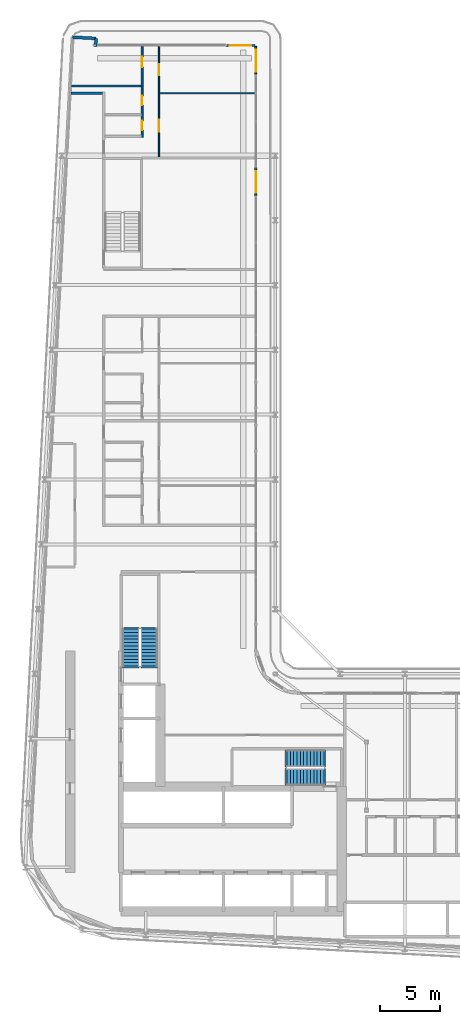
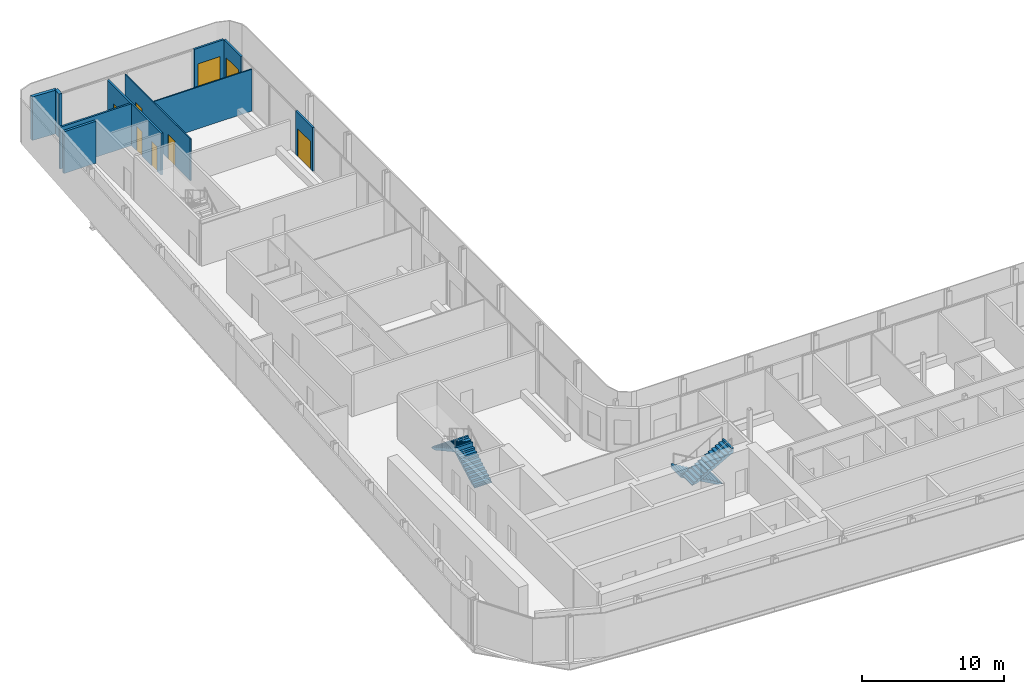
# One storey, part 18 of 27: 10 walls, 8 doors, 4 stair flights, 8 openings, 2 elements without a shape of their own.
"""IFC4 building model written with IfcOpenShell, lengths in metres."""

from ifc_helpers import new_model, si_unit, direction, frame, frame_2d, origin, place, context, subcontext, project, spatial, polyline, rectangle, outline, extrude, source, transform, mapped, material, layer, layer_set, type_object, element, fill, aggregate, save


model = new_model("IFC4")

# Units and contexts
model_context = context("Model", 3, precision=1e-05, world=origin(), true_north=direction((0.0, 1.0)))
body_context = subcontext(model_context, "Body", "Model", "MODEL_VIEW")
ifc_project = project(units=[si_unit("LENGTHUNIT", "METRE"), si_unit("AREAUNIT", "SQUARE_METRE"), si_unit("VOLUMEUNIT", "CUBIC_METRE"), si_unit("PLANEANGLEUNIT", "RADIAN"), si_unit("MASSUNIT", "GRAM", prefix="KILO")], contexts=[model_context])

# Site, building, storey
site_placement = place(None, origin())
site = spatial("IfcSite", under=ifc_project, at=site_placement, CompositionType="ELEMENT")
building_placement = place(site_placement, origin())
building = spatial("IfcBuilding", under=site, at=building_placement, Name="Kheshtan School and Residences Tower", CompositionType="ELEMENT")
storey_placement = place(building_placement, frame((0.0, 0.0, 152.60009765625)))
storey = spatial("IfcBuildingStorey", under=building, at=storey_placement, Name="L35", CompositionType="ELEMENT", Elevation=152.60009765625)

# Walls
ifc_material_1 = material(Name="Gypsum board on steel studs with fire boards", Category="steel")
ifc_layer_1 = layer(ifc_material_1, 0.199951171875)
ifc_layer_set_1 = layer_set([ifc_layer_1], Name="Corridor wall 200")
wall_type_1 = type_object("IfcWallType", Name="Corridor wall 200", PredefinedType="PARTITIONING", material=ifc_layer_set_1)
wall_1_placement = place(storey_placement, frame((30.584716796875, 94.0, 0.0), z_axis=(0.0, 0.0, 1.0), x_axis=(1.0, 0.0, 0.0)))
element("IfcWall", 1, at=wall_1_placement, inside=storey, type_object=wall_type_1, Name="Partition L35-002", PredefinedType="PARTITIONING", context=body_context, shape_type="SweptSolid", body=[
    extrude(rectangle(XDim=2.615234375, YDim=0.199951171875, at=frame_2d((1.3076171875, 0.0))), origin(), (0.0, 0.0, 1.0), 3.599853515625),
])
ifc_material_2 = material(Name="Concrete C40/50 with ceramic cladding and mineral wool insulation", Category="concrete")
ifc_layer_2 = layer(ifc_material_2, 0.25)
ifc_layer_set_2 = layer_set([ifc_layer_2], Name="External wall 250 ceramic clad")
wall_type_2 = type_object("IfcWallType", Name="External wall 250 ceramic clad", PredefinedType="SOLIDWALL", material=ifc_layer_set_2)
wall_2_placement = place(storey_placement, frame((30.705078125, 98.6640625, 0.0), z_axis=(0.0, 0.0, 1.0), x_axis=(0.998577785791, -0.053314216913, 0.0)))
element("IfcWall", 2, at=wall_2_placement, inside=storey, type_object=wall_type_2, Name="External wall L35 5", PredefinedType="SOLIDWALL", context=body_context, shape_type="SweptSolid", body=[
    extrude(rectangle(XDim=1.95068359375, YDim=0.25, at=frame_2d((0.975341796875, 0.0))), origin(), (0.0, 0.0, 1.0), 3.75),
])
wall_3_placement = place(storey_placement, frame((32.653076171875, 98.56005859375, 0.0), z_axis=(0.0, 0.0, 1.0), x_axis=(-0.054093451632, -0.998535877418, 0.0)))
element("IfcWall", 3, at=wall_3_placement, inside=storey, type_object=wall_type_2, Name="External wall L35 6", PredefinedType="SOLIDWALL", context=body_context, shape_type="SweptSolid", body=[
    extrude(rectangle(XDim=0.66796875, YDim=0.25, at=frame_2d((0.333984375, 0.0))), origin(), (0.0, 0.0, 1.0), 3.75),
])

# Wall, opening, door
ifc_material_3 = material(Name="Aluminium frame wall with insulated infill", Category="aluminium")
ifc_layer_3 = layer(ifc_material_3, 0.14990234375)
ifc_layer_set_3 = layer_set([ifc_layer_3], Name="Glazing frame wall 150")
wall_type_3 = type_object("IfcWallType", Name="Glazing frame wall 150", PredefinedType="SOLIDWALL", material=ifc_layer_set_3)
wall_4_placement = place(storey_placement, frame((43.5, 97.97509765625, 0.0), z_axis=(0.0, 0.0, 1.0), x_axis=(1.0, 0.0, 0.0)))
wall_4 = element("IfcWall", 4, at=wall_4_placement, inside=storey, type_object=wall_type_3, Name="Balcony door wall L35 7.1", PredefinedType="SOLIDWALL", context=body_context, shape_type="SweptSolid", body=[
    extrude(rectangle(XDim=2.39990234375, YDim=0.14990234375, at=frame_2d((1.199951171875, 0.0))), origin(), (0.0, 0.0, 1.0), 3.75),
])
opening_1_placement = place(wall_4_placement, frame((0.300048828125, 0.0, 0.0)))
opening_1 = element("IfcOpeningElement", 5, at=opening_1_placement, cuts=wall_4, Name="Opening BD", PredefinedType="OPENING", context=body_context, shape_type="SweptSolid", body=[
    extrude(rectangle(XDim=1.800048828125, YDim=2.39990234375, at=frame_2d((0.89990234375, 1.199951171875))), frame((0.0, 0.0849609375, 0.0), z_axis=(0.0, -1.0, 0.0), x_axis=(1.0, 0.0, 0.0)), (0.0, 0.0, 1.0), 0.169921875),
])
ifc_material_4 = material(Name="Clear low-e glass in thermally broken aluminium frame", Category="aluminium")
door_type_1 = type_object("IfcDoorType", Name="Balcony sliding door", OperationType="SLIDING_TO_LEFT", PredefinedType="DOOR", material=ifc_material_4)
shared_shape_1 = source(origin(), body_context, "Body", "SweptSolid", [
    extrude(rectangle(XDim=1.800048828125, YDim=2.39990234375, at=frame_2d((0.89990234375, 1.199951171875))), frame((0.0, 0.02490234375, 0.0), z_axis=(0.0, -1.0, 0.0), x_axis=(1.0, 0.0, 0.0)), (0.0, 0.0, 1.0), 0.050048828125),
])
door_1_placement = place(opening_1_placement, origin())
door_1 = element("IfcDoor", 6, at=door_1_placement, inside=storey, type_object=door_type_1, Name="Balcony door L35 7.1", OperationType="SLIDING_TO_LEFT", OverallHeight=2.39990234375, OverallWidth=1.800048828125, PredefinedType="DOOR", context=body_context, shape_type="MappedRepresentation", body=[
    mapped(shared_shape_1, transform((0.0, 0.0, 0.0), x_axis=(1.0, 0.0, 0.0), y_axis=(0.0, 1.0, 0.0), z_axis=(0.0, 0.0, 1.0), scale=1.0)),
])
fill(opening_1, door_1)

wall_5_placement = place(storey_placement, frame((45.97509765625, 97.89990234375, 0.0), z_axis=(0.0, 0.0, 1.0), x_axis=(0.0, -1.0, 0.0)))
wall_5 = element("IfcWall", 7, at=wall_5_placement, inside=storey, type_object=wall_type_3, Name="Balcony door wall L35 8.1", PredefinedType="SOLIDWALL", context=body_context, shape_type="SweptSolid", body=[
    extrude(rectangle(XDim=2.39990234375, YDim=0.14990234375, at=frame_2d((1.199951171875, 0.0))), origin(), (0.0, 0.0, 1.0), 3.75),
])
opening_2_placement = place(wall_5_placement, frame((0.300048828125, 0.0, 0.0)))
opening_2 = element("IfcOpeningElement", 8, at=opening_2_placement, cuts=wall_5, Name="Opening BD", PredefinedType="OPENING", context=body_context, shape_type="SweptSolid", body=[
    extrude(rectangle(XDim=1.800048828125, YDim=2.39990234375, at=frame_2d((0.89990234375, 1.199951171875))), frame((0.0, 0.0849609375, 0.0), z_axis=(0.0, -1.0, 0.0), x_axis=(1.0, 0.0, 0.0)), (0.0, 0.0, 1.0), 0.169921875),
])
door_2_placement = place(opening_2_placement, origin())
door_2 = element("IfcDoor", 9, at=door_2_placement, inside=storey, type_object=door_type_1, Name="Balcony door L35 8.1", OperationType="SLIDING_TO_LEFT", OverallHeight=2.39990234375, OverallWidth=1.800048828125, PredefinedType="DOOR", context=body_context, shape_type="MappedRepresentation", body=[
    mapped(shared_shape_1, transform((0.0, 0.0, 0.0), x_axis=(1.0, 0.0, 0.0), y_axis=(0.0, 1.0, 0.0), z_axis=(0.0, 0.0, 1.0), scale=1.0)),
])
fill(opening_2, door_2)

wall_6_placement = place(storey_placement, frame((45.97509765625, 87.805908203125, 0.0), z_axis=(0.0, 0.0, 1.0), x_axis=(0.0, -1.0, 0.0)))
wall_6 = element("IfcWall", 10, at=wall_6_placement, inside=storey, type_object=wall_type_3, Name="Balcony door wall L35 8.2", PredefinedType="SOLIDWALL", context=body_context, shape_type="SweptSolid", body=[
    extrude(rectangle(XDim=2.39990234375, YDim=0.14990234375, at=frame_2d((1.199951171875, 0.0))), origin(), (0.0, 0.0, 1.0), 3.75),
])
opening_3_placement = place(wall_6_placement, frame((0.300048828125, 0.0, 0.0)))
opening_3 = element("IfcOpeningElement", 11, at=opening_3_placement, cuts=wall_6, Name="Opening BD", PredefinedType="OPENING", context=body_context, shape_type="SweptSolid", body=[
    extrude(rectangle(XDim=1.800048828125, YDim=2.39990234375, at=frame_2d((0.89990234375, 1.199951171875))), frame((0.0, 0.0849609375, 0.0), z_axis=(0.0, -1.0, 0.0), x_axis=(1.0, 0.0, 0.0)), (0.0, 0.0, 1.0), 0.169921875),
])
door_3_placement = place(opening_3_placement, origin())
door_3 = element("IfcDoor", 12, at=door_3_placement, inside=storey, type_object=door_type_1, Name="Balcony door L35 8.2", OperationType="SLIDING_TO_LEFT", OverallHeight=2.39990234375, OverallWidth=1.800048828125, PredefinedType="DOOR", context=body_context, shape_type="MappedRepresentation", body=[
    mapped(shared_shape_1, transform((0.0, 0.0, 0.0), x_axis=(1.0, 0.0, 0.0), y_axis=(0.0, 1.0, 0.0), z_axis=(0.0, 0.0, 1.0), scale=1.0)),
])
fill(opening_3, door_3)

# Wall, openings, doors
ifc_material_5 = material(Name="Gypsum board on steel studs", Category="steel")
ifc_layer_4 = layer(ifc_material_5, 0.10009765625)
ifc_layer_set_4 = layer_set([ifc_layer_4], Name="Gypsum partition 100")
wall_type_4 = type_object("IfcWallType", Name="Gypsum partition 100", PredefinedType="PARTITIONING", material=ifc_layer_set_4)
wall_7_placement = place(storey_placement, frame((37.89990234375, 88.699951171875, 0.0), z_axis=(0.0, 0.0, 1.0), x_axis=(0.0, 1.0, 0.0)))
wall_7 = element("IfcWall", 13, at=wall_7_placement, inside=storey, type_object=wall_type_4, Name="Partition L35-025", PredefinedType="PARTITIONING", context=body_context, shape_type="SweptSolid", body=[
    extrude(rectangle(XDim=9.199951171875, YDim=0.10009765625, at=frame_2d((4.60009765625, 0.0))), origin(), (0.0, 0.0, 1.0), 3.599853515625),
])
opening_4_placement = place(wall_7_placement, frame((6.800048828125, 0.0, 0.0)))
opening_4 = element("IfcOpeningElement", 14, at=opening_4_placement, cuts=wall_7, Name="Opening D35-039", PredefinedType="OPENING", context=body_context, shape_type="SweptSolid", body=[
    extrude(rectangle(XDim=0.89990234375, YDim=2.10009765625, at=frame_2d((0.449951171875, 1.050048828125))), frame((0.0, 0.06005859375, 0.0), z_axis=(0.0, -1.0, 0.0), x_axis=(1.0, 0.0, 0.0)), (0.0, 0.0, 1.0), 0.1201171875),
])
opening_5_placement = place(wall_7_placement, frame((2.10009765625, 0.0, 0.0)))
opening_5 = element("IfcOpeningElement", 15, at=opening_5_placement, cuts=wall_7, Name="Opening D35-042", PredefinedType="OPENING", context=body_context, shape_type="SweptSolid", body=[
    extrude(rectangle(XDim=1.0, YDim=2.10009765625, at=frame_2d((0.5, 1.050048828125))), frame((0.0, 0.06005859375, 0.0), z_axis=(0.0, -1.0, 0.0), x_axis=(1.0, 0.0, 0.0)), (0.0, 0.0, 1.0), 0.1201171875),
])
ifc_material_6 = material(Name="Veneered timber door leaf", Category="wood")
door_type_2 = type_object("IfcDoorType", Name="Door 1000 x 2100", OperationType="SINGLE_SWING_LEFT", PredefinedType="DOOR", material=ifc_material_6)
shared_shape_2 = source(origin(), body_context, "Body", "SweptSolid", [
    extrude(rectangle(XDim=1.0, YDim=2.10009765625, at=frame_2d((0.5, 1.050048828125))), frame((0.0, 0.02490234375, 0.0), z_axis=(0.0, -1.0, 0.0), x_axis=(1.0, 0.0, 0.0)), (0.0, 0.0, 1.0), 0.050048828125),
])
door_4_placement = place(opening_5_placement, origin())
door_4 = element("IfcDoor", 16, at=door_4_placement, inside=storey, type_object=door_type_2, Name="Door D35-042", OperationType="SINGLE_SWING_LEFT", OverallHeight=2.10009765625, OverallWidth=1.0, PredefinedType="DOOR", context=body_context, shape_type="MappedRepresentation", body=[
    mapped(shared_shape_2, transform((0.0, 0.0, 0.0), x_axis=(1.0, 0.0, 0.0), y_axis=(0.0, 1.0, 0.0), z_axis=(0.0, 0.0, 1.0), scale=1.0)),
])
fill(opening_5, door_4)
door_type_3 = type_object("IfcDoorType", Name="Door 900 x 2100", OperationType="SINGLE_SWING_LEFT", PredefinedType="DOOR", material=ifc_material_6)
shared_shape_3 = source(origin(), body_context, "Body", "SweptSolid", [
    extrude(rectangle(XDim=0.89990234375, YDim=2.10009765625, at=frame_2d((0.449951171875, 1.050048828125))), frame((0.0, 0.02490234375, 0.0), z_axis=(0.0, -1.0, 0.0), x_axis=(1.0, 0.0, 0.0)), (0.0, 0.0, 1.0), 0.050048828125),
])
door_5_placement = place(opening_4_placement, origin())
door_5 = element("IfcDoor", 17, at=door_5_placement, inside=storey, type_object=door_type_3, Name="Door D35-039", OperationType="SINGLE_SWING_RIGHT", OverallHeight=2.10009765625, OverallWidth=0.89990234375, PredefinedType="DOOR", context=body_context, shape_type="MappedRepresentation", body=[
    mapped(shared_shape_3, transform((0.0, 0.0, 0.0), x_axis=(1.0, 0.0, 0.0), y_axis=(0.0, 1.0, 0.0), z_axis=(0.0, 0.0, 1.0), scale=1.0)),
])
fill(opening_4, door_5)

# Walls
wall_8_placement = place(storey_placement, frame((37.949951171875, 94.0, 0.0), z_axis=(0.0, 0.0, 1.0), x_axis=(1.0, 0.0, 0.0)))
element("IfcWall", 18, at=wall_8_placement, inside=storey, type_object=wall_type_4, Name="Partition L35-028", PredefinedType="PARTITIONING", context=body_context, shape_type="SweptSolid", body=[
    extrude(rectangle(XDim=7.949951171875, YDim=0.10009765625, at=frame_2d((3.97509765625, 0.0))), origin(), (0.0, 0.0, 1.0), 3.599853515625),
])
ifc_material_7 = material(Name="Moisture-resistant gypsum board on steel studs", Category="steel")
ifc_layer_5 = layer(ifc_material_7, 0.14990234375)
ifc_layer_set_5 = layer_set([ifc_layer_5], Name="Wet-room partition 150")
wall_type_5 = type_object("IfcWallType", Name="Wet-room partition 150", PredefinedType="PARTITIONING", material=ifc_layer_set_5)
wall_9_placement = place(storey_placement, frame((30.616943359375, 94.60009765625, 0.0), z_axis=(0.0, 0.0, 1.0), x_axis=(1.0, 0.0, 0.0)))
element("IfcWall", 19, at=wall_9_placement, inside=storey, type_object=wall_type_5, Name="Partition L35-001", PredefinedType="PARTITIONING", context=body_context, shape_type="SweptSolid", body=[
    extrude(rectangle(XDim=5.80810546875, YDim=0.14990234375, at=frame_2d((2.904052734375, 0.0))), origin(), (0.0, 0.0, 1.0), 3.599853515625),
])

# Wall, openings, doors
wall_10_placement = place(storey_placement, frame((36.5, 90.324951171875, 0.0), z_axis=(0.0, 0.0, 1.0), x_axis=(0.0, 1.0, 0.0)))
wall_10 = element("IfcWall", 20, at=wall_10_placement, inside=storey, type_object=wall_type_5, Name="Partition L35-022", PredefinedType="PARTITIONING", context=body_context, shape_type="SweptSolid", body=[
    extrude(rectangle(XDim=7.574951171875, YDim=0.14990234375, at=frame_2d((3.78759765625, 0.0))), origin(), (0.0, 0.0, 1.0), 3.599853515625),
])
opening_6_placement = place(wall_10_placement, frame((2.675048828125, 0.0, 0.0)))
opening_6 = element("IfcOpeningElement", 21, at=opening_6_placement, cuts=wall_10, Name="Opening D35-038", PredefinedType="OPENING", context=body_context, shape_type="SweptSolid", body=[
    extrude(rectangle(XDim=0.800048828125, YDim=2.10009765625, at=frame_2d((0.39990234375, 1.050048828125))), frame((0.0, 0.0849609375, 0.0), z_axis=(0.0, -1.0, 0.0), x_axis=(1.0, 0.0, 0.0)), (0.0, 0.0, 1.0), 0.169921875),
])
opening_7_placement = place(wall_10_placement, frame((5.824951171875, 0.0, 0.0)))
opening_7 = element("IfcOpeningElement", 22, at=opening_7_placement, cuts=wall_10, Name="Opening D35-041", PredefinedType="OPENING", context=body_context, shape_type="SweptSolid", body=[
    extrude(rectangle(XDim=0.89990234375, YDim=2.10009765625, at=frame_2d((0.449951171875, 1.050048828125))), frame((0.0, 0.0849609375, 0.0), z_axis=(0.0, -1.0, 0.0), x_axis=(1.0, 0.0, 0.0)), (0.0, 0.0, 1.0), 0.169921875),
])
opening_8_placement = place(wall_10_placement, frame((0.574951171875, 0.0, 0.0)))
opening_8 = element("IfcOpeningElement", 23, at=opening_8_placement, cuts=wall_10, Name="Opening D35-043", PredefinedType="OPENING", context=body_context, shape_type="SweptSolid", body=[
    extrude(rectangle(XDim=0.800048828125, YDim=2.10009765625, at=frame_2d((0.39990234375, 1.050048828125))), frame((0.0, 0.0849609375, 0.0), z_axis=(0.0, -1.0, 0.0), x_axis=(1.0, 0.0, 0.0)), (0.0, 0.0, 1.0), 0.169921875),
])
door_type_4 = type_object("IfcDoorType", Name="Door 800 x 2100", OperationType="SINGLE_SWING_LEFT", PredefinedType="DOOR", material=ifc_material_6)
shared_shape_4 = source(origin(), body_context, "Body", "SweptSolid", [
    extrude(rectangle(XDim=0.800048828125, YDim=2.10009765625, at=frame_2d((0.39990234375, 1.050048828125))), frame((0.0, 0.02490234375, 0.0), z_axis=(0.0, -1.0, 0.0), x_axis=(1.0, 0.0, 0.0)), (0.0, 0.0, 1.0), 0.050048828125),
])
door_6_placement = place(opening_6_placement, origin())
door_6 = element("IfcDoor", 24, at=door_6_placement, inside=storey, type_object=door_type_4, Name="Door D35-038", OperationType="SINGLE_SWING_LEFT", OverallHeight=2.10009765625, OverallWidth=0.800048828125, PredefinedType="DOOR", context=body_context, shape_type="MappedRepresentation", body=[
    mapped(shared_shape_4, transform((0.0, 0.0, 0.0), x_axis=(1.0, 0.0, 0.0), y_axis=(0.0, 1.0, 0.0), z_axis=(0.0, 0.0, 1.0), scale=1.0)),
])
fill(opening_6, door_6)
door_7_placement = place(opening_8_placement, origin())
door_7 = element("IfcDoor", 25, at=door_7_placement, inside=storey, type_object=door_type_4, Name="Door D35-043", OperationType="SINGLE_SWING_RIGHT", OverallHeight=2.10009765625, OverallWidth=0.800048828125, PredefinedType="DOOR", context=body_context, shape_type="MappedRepresentation", body=[
    mapped(shared_shape_4, transform((0.0, 0.0, 0.0), x_axis=(1.0, 0.0, 0.0), y_axis=(0.0, 1.0, 0.0), z_axis=(0.0, 0.0, 1.0), scale=1.0)),
])
fill(opening_8, door_7)
door_8_placement = place(opening_7_placement, origin())
door_8 = element("IfcDoor", 26, at=door_8_placement, inside=storey, type_object=door_type_3, Name="Door D35-041", OperationType="SINGLE_SWING_RIGHT", OverallHeight=2.10009765625, OverallWidth=0.89990234375, PredefinedType="DOOR", context=body_context, shape_type="MappedRepresentation", body=[
    mapped(shared_shape_3, transform((0.0, 0.0, 0.0), x_axis=(1.0, 0.0, 0.0), y_axis=(0.0, 1.0, 0.0), z_axis=(0.0, 0.0, 1.0), scale=1.0)),
])
fill(opening_7, door_8)

# Stair, stair flights
ifc_material_8 = material(Name="Concrete C40/50", Category="concrete")
stair_type = type_object("IfcStairType", Name="Exit stair, half-turn", PredefinedType="HALF_TURN_STAIR", material=ifc_material_8)
stair_1_placement = place(storey_placement, origin())
stair_1 = element("IfcStair", 27, at=stair_1_placement, inside=storey, type_object=stair_type, Name="L35 Protected Exit Stair ST1", PredefinedType="HALF_TURN_STAIR")
ifc_layer_6 = layer(ifc_material_8, 0.14990234375)
ifc_layer_set_6 = layer_set([ifc_layer_6], Name="Stair flight 1400 Concrete C40/50")
stair_flight_type = type_object("IfcStairFlightType", Name="Stair flight 1400 Concrete C40/50", PredefinedType="STRAIGHT", material=ifc_layer_set_6)
stair_flight_1_placement = place(storey_placement, frame((51.64990234375, 38.550048828125, 0.0), z_axis=(0.0, 0.0, 1.0), x_axis=(-1.0, 0.0, 0.0)))
stair_flight_1 = element("IfcStairFlight", 28, at=stair_flight_1_placement, type_object=stair_flight_type, Name="ST1 flight 1", NumberOfRisers=12, NumberOfTreads=11, PredefinedType="STRAIGHT", RiserHeight=0.1625, TreadLength=0.28, context=body_context, shape_type="SweptSolid", body=[
    extrude(outline(polyline([(-0.14990234375, -0.10009765625), (-0.14990234375, 0.0), (0.0, 0.0), (0.0, 0.16259765625), (0.280029296875, 0.16259765625), (0.280029296875, 0.324951171875), (0.56005859375, 0.324951171875), (0.56005859375, 0.487548828125), (0.840087890625, 0.487548828125), (0.840087890625, 0.64990234375), (1.1201171875, 0.64990234375), (1.1201171875, 0.8125), (1.39990234375, 0.8125), (1.39990234375, 0.97509765625), (1.679931640625, 0.97509765625), (1.679931640625, 1.137451171875), (1.9599609375, 1.137451171875), (1.9599609375, 1.300048828125), (2.239990234375, 1.300048828125), (2.239990234375, 1.46240234375), (2.52001953125, 1.46240234375), (2.52001953125, 1.625), (2.800048828125, 1.625), (2.800048828125, 1.78759765625), (3.080078125, 1.78759765625), (3.080078125, 1.949951171875), (3.080078125, 1.969970703125), (3.22998046875, 1.969970703125), (3.22998046875, 1.6142578125), (0.298583984375, 0.0), (-0.14990234375, -0.10009765625)])), frame((0.0, 0.699951171875, 0.0), z_axis=(0.0, -1.0, 0.0), x_axis=(1.0, 0.0, 0.0)), (0.0, 0.0, 1.0), 1.39990234375),
])
stair_flight_2_placement = place(storey_placement, frame((48.570068359375, 37.0, 1.949951171875), z_axis=(0.0, 0.0, 1.0), x_axis=(1.0, 0.0, 0.0)))
stair_flight_2 = element("IfcStairFlight", 29, at=stair_flight_2_placement, type_object=stair_flight_type, Name="ST1 flight 2", NumberOfRisers=12, NumberOfTreads=11, PredefinedType="STRAIGHT", RiserHeight=0.1625, TreadLength=0.28, context=body_context, shape_type="SweptSolid", body=[
    extrude(outline(polyline([(-0.14990234375, -0.10009765625), (-0.14990234375, 0.0), (0.0, 0.0), (0.0, 0.16259765625), (0.280029296875, 0.16259765625), (0.280029296875, 0.324951171875), (0.56005859375, 0.324951171875), (0.56005859375, 0.487548828125), (0.840087890625, 0.487548828125), (0.840087890625, 0.64990234375), (1.1201171875, 0.64990234375), (1.1201171875, 0.8125), (1.39990234375, 0.8125), (1.39990234375, 0.97509765625), (1.679931640625, 0.97509765625), (1.679931640625, 1.137451171875), (1.9599609375, 1.137451171875), (1.9599609375, 1.300048828125), (2.239990234375, 1.300048828125), (2.239990234375, 1.46240234375), (2.52001953125, 1.46240234375), (2.52001953125, 1.625), (2.800048828125, 1.625), (2.800048828125, 1.78759765625), (3.080078125, 1.78759765625), (3.080078125, 1.949951171875), (3.080078125, 1.969970703125), (3.22998046875, 1.969970703125), (3.22998046875, 1.6142578125), (0.298583984375, 0.0), (-0.14990234375, -0.10009765625)])), frame((0.0, 0.699951171875, 0.0), z_axis=(0.0, -1.0, 0.0), x_axis=(1.0, 0.0, 0.0)), (0.0, 0.0, 1.0), 1.39990234375),
])
aggregate(stair_1, [stair_flight_1, stair_flight_2])

stair_2_placement = place(storey_placement, origin())
stair_2 = element("IfcStair", 30, at=stair_2_placement, inside=storey, type_object=stair_type, Name="L35 Protected Exit Stair ST2", PredefinedType="HALF_TURN_STAIR")
stair_flight_3_placement = place(storey_placement, frame((37.10009765625, 46.25, 0.0), z_axis=(0.0, 0.0, 1.0), x_axis=(0.0, 1.0, 0.0)))
stair_flight_3 = element("IfcStairFlight", 31, at=stair_flight_3_placement, type_object=stair_flight_type, Name="ST2 flight 1", NumberOfRisers=12, NumberOfTreads=11, PredefinedType="STRAIGHT", RiserHeight=0.1625, TreadLength=0.28, context=body_context, shape_type="SweptSolid", body=[
    extrude(outline(polyline([(-0.14990234375, -0.10009765625), (-0.14990234375, 0.0), (0.0, 0.0), (0.0, 0.16259765625), (0.280029296875, 0.16259765625), (0.280029296875, 0.324951171875), (0.56005859375, 0.324951171875), (0.56005859375, 0.487548828125), (0.840087890625, 0.487548828125), (0.840087890625, 0.64990234375), (1.1201171875, 0.64990234375), (1.1201171875, 0.8125), (1.39990234375, 0.8125), (1.39990234375, 0.97509765625), (1.679931640625, 0.97509765625), (1.679931640625, 1.137451171875), (1.9599609375, 1.137451171875), (1.9599609375, 1.300048828125), (2.239990234375, 1.300048828125), (2.239990234375, 1.46240234375), (2.52001953125, 1.46240234375), (2.52001953125, 1.625), (2.800048828125, 1.625), (2.800048828125, 1.78759765625), (3.080078125, 1.78759765625), (3.080078125, 1.949951171875), (3.080078125, 1.969970703125), (3.22998046875, 1.969970703125), (3.22998046875, 1.6142578125), (0.298583984375, 0.0), (-0.14990234375, -0.10009765625)])), frame((0.0, 0.699951171875, 0.0), z_axis=(0.0, -1.0, 0.0), x_axis=(1.0, 0.0, 0.0)), (0.0, 0.0, 1.0), 1.39990234375),
])
stair_flight_4_placement = place(storey_placement, frame((35.550048828125, 49.330078125, 1.949951171875), z_axis=(0.0, 0.0, 1.0), x_axis=(0.0, -1.0, 0.0)))
stair_flight_4 = element("IfcStairFlight", 32, at=stair_flight_4_placement, type_object=stair_flight_type, Name="ST2 flight 2", NumberOfRisers=12, NumberOfTreads=11, PredefinedType="STRAIGHT", RiserHeight=0.1625, TreadLength=0.28, context=body_context, shape_type="SweptSolid", body=[
    extrude(outline(polyline([(-0.14990234375, -0.10009765625), (-0.14990234375, 0.0), (0.0, 0.0), (0.0, 0.16259765625), (0.280029296875, 0.16259765625), (0.280029296875, 0.324951171875), (0.56005859375, 0.324951171875), (0.56005859375, 0.487548828125), (0.840087890625, 0.487548828125), (0.840087890625, 0.64990234375), (1.1201171875, 0.64990234375), (1.1201171875, 0.8125), (1.39990234375, 0.8125), (1.39990234375, 0.97509765625), (1.679931640625, 0.97509765625), (1.679931640625, 1.137451171875), (1.9599609375, 1.137451171875), (1.9599609375, 1.300048828125), (2.239990234375, 1.300048828125), (2.239990234375, 1.46240234375), (2.52001953125, 1.46240234375), (2.52001953125, 1.625), (2.800048828125, 1.625), (2.800048828125, 1.78759765625), (3.080078125, 1.78759765625), (3.080078125, 1.949951171875), (3.080078125, 1.969970703125), (3.22998046875, 1.969970703125), (3.22998046875, 1.6142578125), (0.298583984375, 0.0), (-0.14990234375, -0.10009765625)])), frame((0.0, 0.699951171875, 0.0), z_axis=(0.0, -1.0, 0.0), x_axis=(1.0, 0.0, 0.0)), (0.0, 0.0, 1.0), 1.39990234375),
])
aggregate(stair_2, [stair_flight_3, stair_flight_4])

save(model, "model.ifc")
